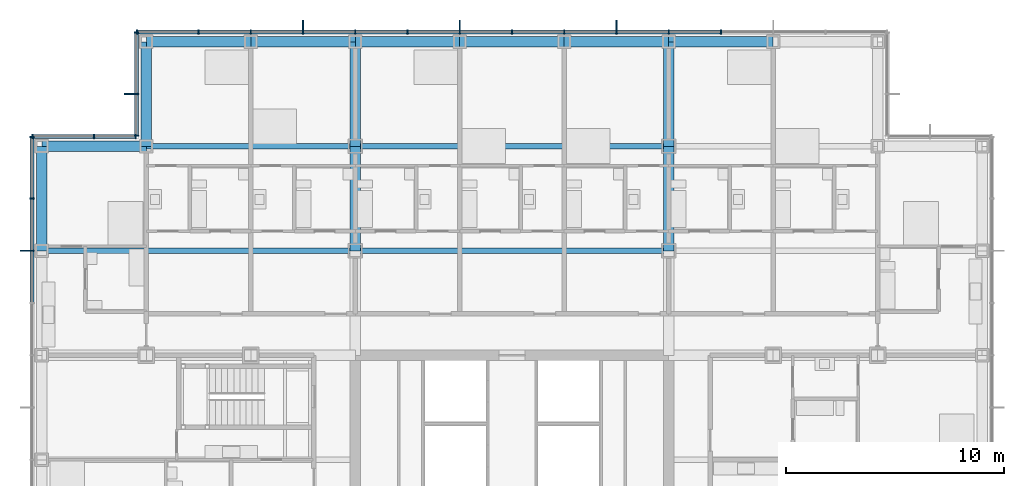
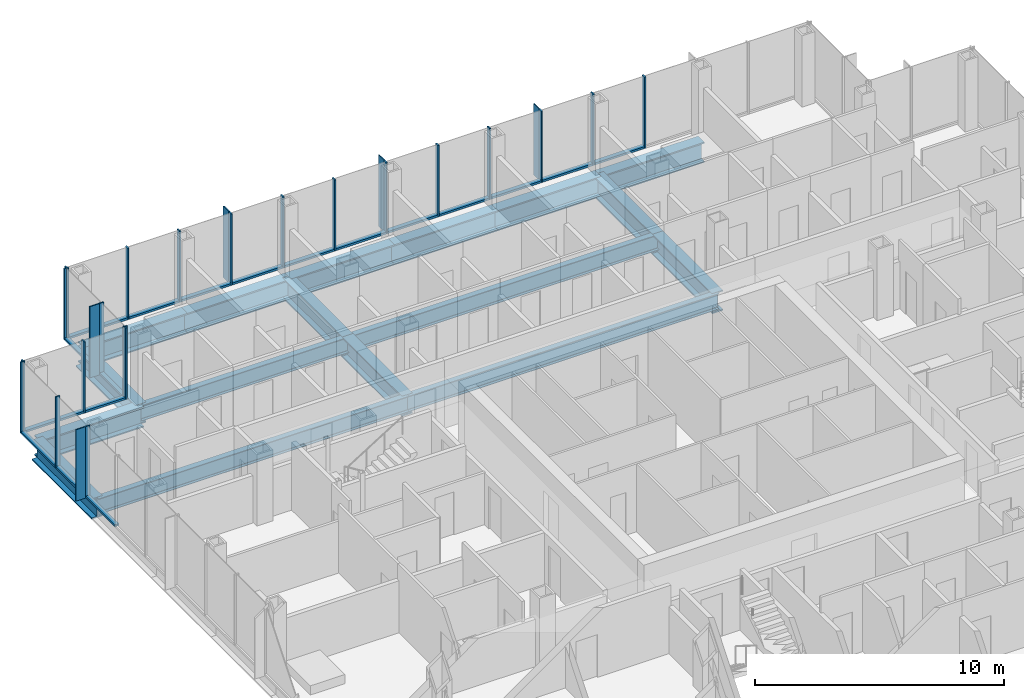
# One storey, part 10 of 22: 44 members, 17 beams, 4 elements without a shape of their own.
"""IFC4 building model written with IfcOpenShell, lengths in metres."""

from ifc_helpers import new_model, si_unit, direction, frame, origin, origin_2d, place, context, subcontext, project, spatial, rectangle, i_section, extrude, material, material_profile, profile_set, type_object, element, aggregate, save


model = new_model("IFC4")

# Units and contexts
model_context = context("Model", 3, precision=1e-05, world=origin(), true_north=direction((0.0, 1.0)))
body_context = subcontext(model_context, "Body", "Model", "MODEL_VIEW")
ifc_project = project(units=[si_unit("LENGTHUNIT", "METRE"), si_unit("AREAUNIT", "SQUARE_METRE"), si_unit("VOLUMEUNIT", "CUBIC_METRE"), si_unit("PLANEANGLEUNIT", "RADIAN"), si_unit("MASSUNIT", "GRAM", prefix="KILO")], contexts=[model_context])

# Site, building, storey
site_placement = place(None, origin())
site = spatial("IfcSite", under=ifc_project, at=site_placement, CompositionType="ELEMENT")
building_placement = place(site_placement, origin())
building = spatial("IfcBuilding", under=site, at=building_placement, Name="Kvirike Care Tower", CompositionType="ELEMENT")
storey_placement = place(building_placement, frame((0.0, 0.0, 72.5)))
storey = spatial("IfcBuildingStorey", under=building, at=storey_placement, Name="L19", CompositionType="ELEMENT", Elevation=72.5)

# Curtain wall, member
ifc_material_1 = material(Name="Anodised aluminium stick system", Category="aluminium")
curtain_wall_type = type_object("IfcCurtainWallType", Name="CW-A STICK CURTAIN WALL", PredefinedType="NOTDEFINED", material=ifc_material_1)
curtain_wall_1_placement = place(storey_placement, origin())
curtain_wall_1 = element("IfcCurtainWall", 1, at=curtain_wall_1_placement, inside=storey, type_object=curtain_wall_type, Name="Curtain wall L19 face 1", PredefinedType="NOTDEFINED")
ifc_material_2 = material(Name="Bronze anodised aluminium fin", Category="aluminium")
ifc_material_profile_1 = material_profile(ifc_material_2, rectangle(XDim=0.050048828125, YDim=0.449951171875, at=origin_2d()), Name="BRONZE FIN 450")
ifc_profile_set_1 = profile_set([ifc_material_profile_1], Name="Bronze anodised aluminium fin")
member_type_1 = type_object("IfcMemberType", Name="BRONZE FIN 450", PredefinedType="USERDEFINED", material=ifc_profile_set_1)
member_1_placement = place(storey_placement, frame((-0.77490234375, 48.0, 0.0), z_axis=(0.0, 0.0, 1.0), x_axis=(0.0, -1.0, 0.0)))
member_1 = element("IfcMember", 2, at=member_1_placement, type_object=member_type_1, Name="Bronze fin L19 face 1.3", ObjectType="FIN", PredefinedType="USERDEFINED", context=body_context, shape_type="SweptSolid", body=[
    extrude(rectangle(XDim=0.050048828125, YDim=0.449951171875, at=origin_2d()), origin(), (0.0, 0.0, 1.0), 3.5),
])

# Curtain wall, members
curtain_wall_2_placement = place(storey_placement, origin())
curtain_wall_2 = element("IfcCurtainWall", 3, at=curtain_wall_2_placement, inside=storey, type_object=curtain_wall_type, Name="Curtain wall L19 face 10", PredefinedType="NOTDEFINED")
member_2_placement = place(storey_placement, frame((26.39990234375, 58.375, 0.0), z_axis=(0.0, 0.0, 1.0), x_axis=(-1.0, 0.0, 0.0)))
member_2 = element("IfcMember", 4, at=member_2_placement, type_object=member_type_1, Name="Bronze fin L19 face 10.6", ObjectType="FIN", PredefinedType="USERDEFINED", context=body_context, shape_type="SweptSolid", body=[
    extrude(rectangle(XDim=0.050048828125, YDim=0.449951171875, at=origin_2d()), origin(), (0.0, 0.0, 1.0), 3.5),
])
member_3_placement = place(storey_placement, frame((19.199951171875, 58.375, 0.0), z_axis=(0.0, 0.0, 1.0), x_axis=(-1.0, 0.0, 0.0)))
member_3 = element("IfcMember", 5, at=member_3_placement, type_object=member_type_1, Name="Bronze fin L19 face 10.9", ObjectType="FIN", PredefinedType="USERDEFINED", context=body_context, shape_type="SweptSolid", body=[
    extrude(rectangle(XDim=0.050048828125, YDim=0.449951171875, at=origin_2d()), origin(), (0.0, 0.0, 1.0), 3.5),
])
member_4_placement = place(storey_placement, frame((12.0, 58.375, 0.0), z_axis=(0.0, 0.0, 1.0), x_axis=(-1.0, 0.0, 0.0)))
member_4 = element("IfcMember", 6, at=member_4_placement, type_object=member_type_1, Name="Bronze fin L19 face 10.12", ObjectType="FIN", PredefinedType="USERDEFINED", context=body_context, shape_type="SweptSolid", body=[
    extrude(rectangle(XDim=0.050048828125, YDim=0.449951171875, at=origin_2d()), origin(), (0.0, 0.0, 1.0), 3.5),
])

# Curtain wall, member
curtain_wall_3_placement = place(storey_placement, origin())
curtain_wall_3 = element("IfcCurtainWall", 7, at=curtain_wall_3_placement, inside=storey, type_object=curtain_wall_type, Name="Curtain wall L19 face 11", PredefinedType="NOTDEFINED")
member_5_placement = place(storey_placement, frame((4.02490234375, 55.199951171875, 0.0), z_axis=(0.0, 0.0, 1.0), x_axis=(0.0, -1.0, 0.0)))
member_5 = element("IfcMember", 8, at=member_5_placement, type_object=member_type_1, Name="Bronze fin L19 face 11.2", ObjectType="FIN", PredefinedType="USERDEFINED", context=body_context, shape_type="SweptSolid", body=[
    extrude(rectangle(XDim=0.050048828125, YDim=0.449951171875, at=origin_2d()), origin(), (0.0, 0.0, 1.0), 3.5),
])

# Member
ifc_material_3 = material(Name="Bronze anodised aluminium mullion", Category="aluminium")
ifc_material_profile_2 = material_profile(ifc_material_3, rectangle(XDim=0.06494140625, YDim=0.199951171875, at=origin_2d()), Name="CW-A MULLION 65x200")
ifc_profile_set_2 = profile_set([ifc_material_profile_2], Name="Bronze anodised aluminium mullion")
member_type_2 = type_object("IfcMemberType", Name="CW-A MULLION 65x200", PredefinedType="MULLION", material=ifc_profile_set_2)
member_6_placement = place(storey_placement, frame((-0.449951171875, 53.217529296875, 0.0), z_axis=(0.0, 0.0, 1.0), x_axis=(0.0, -1.0, 0.0)))
member_6 = element("IfcMember", 9, at=member_6_placement, type_object=member_type_2, Name="CW-A mullion L19 face 1.1", PredefinedType="MULLION", context=body_context, shape_type="SweptSolid", body=[
    extrude(rectangle(XDim=0.06494140625, YDim=0.199951171875, at=origin_2d()), origin(), (0.0, 0.0, 1.0), 3.5),
])

member_7_placement = place(storey_placement, frame((-0.449951171875, 50.39990234375, 0.0), z_axis=(0.0, 0.0, 1.0), x_axis=(0.0, -1.0, 0.0)))
member_7 = element("IfcMember", 10, at=member_7_placement, type_object=member_type_2, Name="CW-A mullion L19 face 1.2", PredefinedType="MULLION", context=body_context, shape_type="SweptSolid", body=[
    extrude(rectangle(XDim=0.06494140625, YDim=0.199951171875, at=origin_2d()), origin(), (0.0, 0.0, 1.0), 3.5),
])

member_8_placement = place(storey_placement, frame((-0.449951171875, 48.0, 0.0), z_axis=(0.0, 0.0, 1.0), x_axis=(0.0, -1.0, 0.0)))
member_8 = element("IfcMember", 11, at=member_8_placement, type_object=member_type_2, Name="CW-A mullion L19 face 1.3", PredefinedType="MULLION", context=body_context, shape_type="SweptSolid", body=[
    extrude(rectangle(XDim=0.06494140625, YDim=0.199951171875, at=origin_2d()), origin(), (0.0, 0.0, 1.0), 3.5),
])

member_9_placement = place(storey_placement, frame((31.199951171875, 58.050048828125, 0.0), z_axis=(0.0, 0.0, 1.0), x_axis=(-1.0, 0.0, 0.0)))
member_9 = element("IfcMember", 12, at=member_9_placement, type_object=member_type_2, Name="CW-A mullion L19 face 10.4", PredefinedType="MULLION", context=body_context, shape_type="SweptSolid", body=[
    extrude(rectangle(XDim=0.06494140625, YDim=0.199951171875, at=origin_2d()), origin(), (0.0, 0.0, 1.0), 3.5),
])

member_10_placement = place(storey_placement, frame((28.800048828125, 58.050048828125, 0.0), z_axis=(0.0, 0.0, 1.0), x_axis=(-1.0, 0.0, 0.0)))
member_10 = element("IfcMember", 13, at=member_10_placement, type_object=member_type_2, Name="CW-A mullion L19 face 10.5", PredefinedType="MULLION", context=body_context, shape_type="SweptSolid", body=[
    extrude(rectangle(XDim=0.06494140625, YDim=0.199951171875, at=origin_2d()), origin(), (0.0, 0.0, 1.0), 3.5),
])

member_11_placement = place(storey_placement, frame((26.39990234375, 58.050048828125, 0.0), z_axis=(0.0, 0.0, 1.0), x_axis=(-1.0, 0.0, 0.0)))
member_11 = element("IfcMember", 14, at=member_11_placement, type_object=member_type_2, Name="CW-A mullion L19 face 10.6", PredefinedType="MULLION", context=body_context, shape_type="SweptSolid", body=[
    extrude(rectangle(XDim=0.06494140625, YDim=0.199951171875, at=origin_2d()), origin(), (0.0, 0.0, 1.0), 3.5),
])

member_12_placement = place(storey_placement, frame((24.0, 58.050048828125, 0.0), z_axis=(0.0, 0.0, 1.0), x_axis=(-1.0, 0.0, 0.0)))
member_12 = element("IfcMember", 15, at=member_12_placement, type_object=member_type_2, Name="CW-A mullion L19 face 10.7", PredefinedType="MULLION", context=body_context, shape_type="SweptSolid", body=[
    extrude(rectangle(XDim=0.06494140625, YDim=0.199951171875, at=origin_2d()), origin(), (0.0, 0.0, 1.0), 3.5),
])

member_13_placement = place(storey_placement, frame((21.60009765625, 58.050048828125, 0.0), z_axis=(0.0, 0.0, 1.0), x_axis=(-1.0, 0.0, 0.0)))
member_13 = element("IfcMember", 16, at=member_13_placement, type_object=member_type_2, Name="CW-A mullion L19 face 10.8", PredefinedType="MULLION", context=body_context, shape_type="SweptSolid", body=[
    extrude(rectangle(XDim=0.06494140625, YDim=0.199951171875, at=origin_2d()), origin(), (0.0, 0.0, 1.0), 3.5),
])

member_14_placement = place(storey_placement, frame((19.199951171875, 58.050048828125, 0.0), z_axis=(0.0, 0.0, 1.0), x_axis=(-1.0, 0.0, 0.0)))
member_14 = element("IfcMember", 17, at=member_14_placement, type_object=member_type_2, Name="CW-A mullion L19 face 10.9", PredefinedType="MULLION", context=body_context, shape_type="SweptSolid", body=[
    extrude(rectangle(XDim=0.06494140625, YDim=0.199951171875, at=origin_2d()), origin(), (0.0, 0.0, 1.0), 3.5),
])

member_15_placement = place(storey_placement, frame((16.800048828125, 58.050048828125, 0.0), z_axis=(0.0, 0.0, 1.0), x_axis=(-1.0, 0.0, 0.0)))
member_15 = element("IfcMember", 18, at=member_15_placement, type_object=member_type_2, Name="CW-A mullion L19 face 10.10", PredefinedType="MULLION", context=body_context, shape_type="SweptSolid", body=[
    extrude(rectangle(XDim=0.06494140625, YDim=0.199951171875, at=origin_2d()), origin(), (0.0, 0.0, 1.0), 3.5),
])

member_16_placement = place(storey_placement, frame((14.39990234375, 58.050048828125, 0.0), z_axis=(0.0, 0.0, 1.0), x_axis=(-1.0, 0.0, 0.0)))
member_16 = element("IfcMember", 19, at=member_16_placement, type_object=member_type_2, Name="CW-A mullion L19 face 10.11", PredefinedType="MULLION", context=body_context, shape_type="SweptSolid", body=[
    extrude(rectangle(XDim=0.06494140625, YDim=0.199951171875, at=origin_2d()), origin(), (0.0, 0.0, 1.0), 3.5),
])

member_17_placement = place(storey_placement, frame((12.0, 58.050048828125, 0.0), z_axis=(0.0, 0.0, 1.0), x_axis=(-1.0, 0.0, 0.0)))
member_17 = element("IfcMember", 20, at=member_17_placement, type_object=member_type_2, Name="CW-A mullion L19 face 10.12", PredefinedType="MULLION", context=body_context, shape_type="SweptSolid", body=[
    extrude(rectangle(XDim=0.06494140625, YDim=0.199951171875, at=origin_2d()), origin(), (0.0, 0.0, 1.0), 3.5),
])

member_18_placement = place(storey_placement, frame((9.60009765625, 58.050048828125, 0.0), z_axis=(0.0, 0.0, 1.0), x_axis=(-1.0, 0.0, 0.0)))
member_18 = element("IfcMember", 21, at=member_18_placement, type_object=member_type_2, Name="CW-A mullion L19 face 10.13", PredefinedType="MULLION", context=body_context, shape_type="SweptSolid", body=[
    extrude(rectangle(XDim=0.06494140625, YDim=0.199951171875, at=origin_2d()), origin(), (0.0, 0.0, 1.0), 3.5),
])

member_19_placement = place(storey_placement, frame((7.199951171875, 58.050048828125, 0.0), z_axis=(0.0, 0.0, 1.0), x_axis=(-1.0, 0.0, 0.0)))
member_19 = element("IfcMember", 22, at=member_19_placement, type_object=member_type_2, Name="CW-A mullion L19 face 10.14", PredefinedType="MULLION", context=body_context, shape_type="SweptSolid", body=[
    extrude(rectangle(XDim=0.06494140625, YDim=0.199951171875, at=origin_2d()), origin(), (0.0, 0.0, 1.0), 3.5),
])

member_20_placement = place(storey_placement, frame((4.382568359375, 58.050048828125, 0.0), z_axis=(0.0, 0.0, 1.0), x_axis=(-1.0, 0.0, 0.0)))
member_20 = element("IfcMember", 23, at=member_20_placement, type_object=member_type_2, Name="CW-A mullion L19 face 10.15", PredefinedType="MULLION", context=body_context, shape_type="SweptSolid", body=[
    extrude(rectangle(XDim=0.06494140625, YDim=0.199951171875, at=origin_2d()), origin(), (0.0, 0.0, 1.0), 3.5),
])

member_21_placement = place(storey_placement, frame((4.35009765625, 58.017578125, 0.0), z_axis=(0.0, 0.0, 1.0), x_axis=(0.0, -1.0, 0.0)))
member_21 = element("IfcMember", 24, at=member_21_placement, type_object=member_type_2, Name="CW-A mullion L19 face 11.1", PredefinedType="MULLION", context=body_context, shape_type="SweptSolid", body=[
    extrude(rectangle(XDim=0.06494140625, YDim=0.199951171875, at=origin_2d()), origin(), (0.0, 0.0, 1.0), 3.5),
])

member_22_placement = place(storey_placement, frame((4.35009765625, 55.199951171875, 0.0), z_axis=(0.0, 0.0, 1.0), x_axis=(0.0, -1.0, 0.0)))
member_22 = element("IfcMember", 25, at=member_22_placement, type_object=member_type_2, Name="CW-A mullion L19 face 11.2", PredefinedType="MULLION", context=body_context, shape_type="SweptSolid", body=[
    extrude(rectangle(XDim=0.06494140625, YDim=0.199951171875, at=origin_2d()), origin(), (0.0, 0.0, 1.0), 3.5),
])

member_23_placement = place(storey_placement, frame((4.35009765625, 53.282470703125, 0.0), z_axis=(0.0, 0.0, 1.0), x_axis=(0.0, -1.0, 0.0)))
member_23 = element("IfcMember", 26, at=member_23_placement, type_object=member_type_2, Name="CW-A mullion L19 face 11.3", PredefinedType="MULLION", context=body_context, shape_type="SweptSolid", body=[
    extrude(rectangle(XDim=0.06494140625, YDim=0.199951171875, at=origin_2d()), origin(), (0.0, 0.0, 1.0), 3.5),
])

# Curtain wall, members
curtain_wall_4_placement = place(storey_placement, origin())
curtain_wall_4 = element("IfcCurtainWall", 27, at=curtain_wall_4_placement, inside=storey, type_object=curtain_wall_type, Name="Curtain wall L19 face 12", PredefinedType="NOTDEFINED")
member_24_placement = place(storey_placement, frame((4.3173828125, 53.25, 0.0), z_axis=(0.0, 0.0, 1.0), x_axis=(-1.0, 0.0, 0.0)))
member_24 = element("IfcMember", 28, at=member_24_placement, type_object=member_type_2, Name="CW-A mullion L19 face 12.1", PredefinedType="MULLION", context=body_context, shape_type="SweptSolid", body=[
    extrude(rectangle(XDim=0.06494140625, YDim=0.199951171875, at=origin_2d()), origin(), (0.0, 0.0, 1.0), 3.5),
])
member_25_placement = place(storey_placement, frame((2.39990234375, 53.25, 0.0), z_axis=(0.0, 0.0, 1.0), x_axis=(-1.0, 0.0, 0.0)))
member_25 = element("IfcMember", 29, at=member_25_placement, type_object=member_type_2, Name="CW-A mullion L19 face 12.2", PredefinedType="MULLION", context=body_context, shape_type="SweptSolid", body=[
    extrude(rectangle(XDim=0.06494140625, YDim=0.199951171875, at=origin_2d()), origin(), (0.0, 0.0, 1.0), 3.5),
])
member_26_placement = place(storey_placement, frame((-0.41748046875, 53.25, 0.0), z_axis=(0.0, 0.0, 1.0), x_axis=(-1.0, 0.0, 0.0)))
member_26 = element("IfcMember", 30, at=member_26_placement, type_object=member_type_2, Name="CW-A mullion L19 face 12.3", PredefinedType="MULLION", context=body_context, shape_type="SweptSolid", body=[
    extrude(rectangle(XDim=0.06494140625, YDim=0.199951171875, at=origin_2d()), origin(), (0.0, 0.0, 1.0), 3.5),
])

# Member
ifc_material_4 = material(Name="Bronze anodised aluminium transom", Category="aluminium")
ifc_material_profile_3 = material_profile(ifc_material_4, rectangle(XDim=0.199951171875, YDim=0.10009765625, at=origin_2d()), Name="CW-A TRANSOM 200x100")
ifc_profile_set_3 = profile_set([ifc_material_profile_3], Name="Bronze anodised aluminium transom")
member_type_3 = type_object("IfcMemberType", Name="CW-A TRANSOM 200x100", PredefinedType="USERDEFINED", material=ifc_profile_set_3)
member_27_placement = place(storey_placement, frame((-0.449951171875, 53.18505859375, 0.050048828125), z_axis=(0.0, -1.0, 0.0), x_axis=(1.0, 0.0, 0.0)))
member_27 = element("IfcMember", 31, at=member_27_placement, type_object=member_type_3, Name="CW-A sill transom L19 face 1.1", ObjectType="TRANSOM", PredefinedType="USERDEFINED", context=body_context, shape_type="SweptSolid", body=[
    extrude(rectangle(XDim=0.199951171875, YDim=0.10009765625, at=origin_2d()), origin(), (0.0, 0.0, 1.0), 2.75244140625),
])

member_28_placement = place(storey_placement, frame((-0.449951171875, 50.367431640625, 0.050048828125), z_axis=(0.0, -1.0, 0.0), x_axis=(1.0, 0.0, 0.0)))
member_28 = element("IfcMember", 32, at=member_28_placement, type_object=member_type_3, Name="CW-A sill transom L19 face 1.2", ObjectType="TRANSOM", PredefinedType="USERDEFINED", context=body_context, shape_type="SweptSolid", body=[
    extrude(rectangle(XDim=0.199951171875, YDim=0.10009765625, at=origin_2d()), origin(), (0.0, 0.0, 1.0), 2.3349609375),
])

member_29_placement = place(storey_placement, frame((-0.449951171875, 47.967529296875, 0.050048828125), z_axis=(0.0, -1.0, 0.0), x_axis=(1.0, 0.0, 0.0)))
member_29 = element("IfcMember", 33, at=member_29_placement, type_object=member_type_3, Name="CW-A sill transom L19 face 1.3", ObjectType="TRANSOM", PredefinedType="USERDEFINED", context=body_context, shape_type="SweptSolid", body=[
    extrude(rectangle(XDim=0.199951171875, YDim=0.10009765625, at=origin_2d()), origin(), (0.0, 0.0, 1.0), 2.3349609375),
])

aggregate(curtain_wall_1, [member_6, member_7, member_8, member_1, member_27, member_28, member_29])

member_30_placement = place(storey_placement, frame((31.16748046875, 58.050048828125, 0.050048828125), z_axis=(-1.0, 0.0, 0.0), x_axis=(0.0, -1.0, 0.0)))
member_30 = element("IfcMember", 34, at=member_30_placement, type_object=member_type_3, Name="CW-A sill transom L19 face 10.4", ObjectType="TRANSOM", PredefinedType="USERDEFINED", context=body_context, shape_type="SweptSolid", body=[
    extrude(rectangle(XDim=0.199951171875, YDim=0.10009765625, at=origin_2d()), origin(), (0.0, 0.0, 1.0), 2.3349609375),
])

member_31_placement = place(storey_placement, frame((28.767578125, 58.050048828125, 0.050048828125), z_axis=(-1.0, 0.0, 0.0), x_axis=(0.0, -1.0, 0.0)))
member_31 = element("IfcMember", 35, at=member_31_placement, type_object=member_type_3, Name="CW-A sill transom L19 face 10.5", ObjectType="TRANSOM", PredefinedType="USERDEFINED", context=body_context, shape_type="SweptSolid", body=[
    extrude(rectangle(XDim=0.199951171875, YDim=0.10009765625, at=origin_2d()), origin(), (0.0, 0.0, 1.0), 2.3349609375),
])

member_32_placement = place(storey_placement, frame((26.367431640625, 58.050048828125, 0.050048828125), z_axis=(-1.0, 0.0, 0.0), x_axis=(0.0, -1.0, 0.0)))
member_32 = element("IfcMember", 36, at=member_32_placement, type_object=member_type_3, Name="CW-A sill transom L19 face 10.6", ObjectType="TRANSOM", PredefinedType="USERDEFINED", context=body_context, shape_type="SweptSolid", body=[
    extrude(rectangle(XDim=0.199951171875, YDim=0.10009765625, at=origin_2d()), origin(), (0.0, 0.0, 1.0), 2.3349609375),
])

member_33_placement = place(storey_placement, frame((23.967529296875, 58.050048828125, 0.050048828125), z_axis=(-1.0, 0.0, 0.0), x_axis=(0.0, -1.0, 0.0)))
member_33 = element("IfcMember", 37, at=member_33_placement, type_object=member_type_3, Name="CW-A sill transom L19 face 10.7", ObjectType="TRANSOM", PredefinedType="USERDEFINED", context=body_context, shape_type="SweptSolid", body=[
    extrude(rectangle(XDim=0.199951171875, YDim=0.10009765625, at=origin_2d()), origin(), (0.0, 0.0, 1.0), 2.3349609375),
])

member_34_placement = place(storey_placement, frame((21.5673828125, 58.050048828125, 0.050048828125), z_axis=(-1.0, 0.0, 0.0), x_axis=(0.0, -1.0, 0.0)))
member_34 = element("IfcMember", 38, at=member_34_placement, type_object=member_type_3, Name="CW-A sill transom L19 face 10.8", ObjectType="TRANSOM", PredefinedType="USERDEFINED", context=body_context, shape_type="SweptSolid", body=[
    extrude(rectangle(XDim=0.199951171875, YDim=0.10009765625, at=origin_2d()), origin(), (0.0, 0.0, 1.0), 2.3349609375),
])

member_35_placement = place(storey_placement, frame((19.16748046875, 58.050048828125, 0.050048828125), z_axis=(-1.0, 0.0, 0.0), x_axis=(0.0, -1.0, 0.0)))
member_35 = element("IfcMember", 39, at=member_35_placement, type_object=member_type_3, Name="CW-A sill transom L19 face 10.9", ObjectType="TRANSOM", PredefinedType="USERDEFINED", context=body_context, shape_type="SweptSolid", body=[
    extrude(rectangle(XDim=0.199951171875, YDim=0.10009765625, at=origin_2d()), origin(), (0.0, 0.0, 1.0), 2.3349609375),
])

member_36_placement = place(storey_placement, frame((16.767578125, 58.050048828125, 0.050048828125), z_axis=(-1.0, 0.0, 0.0), x_axis=(0.0, -1.0, 0.0)))
member_36 = element("IfcMember", 40, at=member_36_placement, type_object=member_type_3, Name="CW-A sill transom L19 face 10.10", ObjectType="TRANSOM", PredefinedType="USERDEFINED", context=body_context, shape_type="SweptSolid", body=[
    extrude(rectangle(XDim=0.199951171875, YDim=0.10009765625, at=origin_2d()), origin(), (0.0, 0.0, 1.0), 2.3349609375),
])

member_37_placement = place(storey_placement, frame((14.367431640625, 58.050048828125, 0.050048828125), z_axis=(-1.0, 0.0, 0.0), x_axis=(0.0, -1.0, 0.0)))
member_37 = element("IfcMember", 41, at=member_37_placement, type_object=member_type_3, Name="CW-A sill transom L19 face 10.11", ObjectType="TRANSOM", PredefinedType="USERDEFINED", context=body_context, shape_type="SweptSolid", body=[
    extrude(rectangle(XDim=0.199951171875, YDim=0.10009765625, at=origin_2d()), origin(), (0.0, 0.0, 1.0), 2.3349609375),
])

member_38_placement = place(storey_placement, frame((11.967529296875, 58.050048828125, 0.050048828125), z_axis=(-1.0, 0.0, 0.0), x_axis=(0.0, -1.0, 0.0)))
member_38 = element("IfcMember", 42, at=member_38_placement, type_object=member_type_3, Name="CW-A sill transom L19 face 10.12", ObjectType="TRANSOM", PredefinedType="USERDEFINED", context=body_context, shape_type="SweptSolid", body=[
    extrude(rectangle(XDim=0.199951171875, YDim=0.10009765625, at=origin_2d()), origin(), (0.0, 0.0, 1.0), 2.3349609375),
])

member_39_placement = place(storey_placement, frame((9.5673828125, 58.050048828125, 0.050048828125), z_axis=(-1.0, 0.0, 0.0), x_axis=(0.0, -1.0, 0.0)))
member_39 = element("IfcMember", 43, at=member_39_placement, type_object=member_type_3, Name="CW-A sill transom L19 face 10.13", ObjectType="TRANSOM", PredefinedType="USERDEFINED", context=body_context, shape_type="SweptSolid", body=[
    extrude(rectangle(XDim=0.199951171875, YDim=0.10009765625, at=origin_2d()), origin(), (0.0, 0.0, 1.0), 2.3349609375),
])

member_40_placement = place(storey_placement, frame((7.16748046875, 58.050048828125, 0.050048828125), z_axis=(-1.0, 0.0, 0.0), x_axis=(0.0, -1.0, 0.0)))
member_40 = element("IfcMember", 44, at=member_40_placement, type_object=member_type_3, Name="CW-A sill transom L19 face 10.14", ObjectType="TRANSOM", PredefinedType="USERDEFINED", context=body_context, shape_type="SweptSolid", body=[
    extrude(rectangle(XDim=0.199951171875, YDim=0.10009765625, at=origin_2d()), origin(), (0.0, 0.0, 1.0), 2.75244140625),
])

aggregate(curtain_wall_2, [member_9, member_10, member_11, member_2, member_12, member_13, member_14, member_3, member_15, member_16, member_17, member_4, member_18, member_19, member_20, member_30, member_31, member_32, member_33, member_34, member_35, member_36, member_37, member_38, member_39, member_40])

member_41_placement = place(storey_placement, frame((4.35009765625, 57.985107421875, 0.050048828125), z_axis=(0.0, -1.0, 0.0), x_axis=(1.0, 0.0, 0.0)))
member_41 = element("IfcMember", 45, at=member_41_placement, type_object=member_type_3, Name="CW-A sill transom L19 face 11.1", ObjectType="TRANSOM", PredefinedType="USERDEFINED", context=body_context, shape_type="SweptSolid", body=[
    extrude(rectangle(XDim=0.199951171875, YDim=0.10009765625, at=origin_2d()), origin(), (0.0, 0.0, 1.0), 2.752685546875),
])

member_42_placement = place(storey_placement, frame((4.35009765625, 55.16748046875, 0.050048828125), z_axis=(0.0, -1.0, 0.0), x_axis=(1.0, 0.0, 0.0)))
member_42 = element("IfcMember", 46, at=member_42_placement, type_object=member_type_3, Name="CW-A sill transom L19 face 11.2", ObjectType="TRANSOM", PredefinedType="USERDEFINED", context=body_context, shape_type="SweptSolid", body=[
    extrude(rectangle(XDim=0.199951171875, YDim=0.10009765625, at=origin_2d()), origin(), (0.0, 0.0, 1.0), 1.8525390625),
])

aggregate(curtain_wall_3, [member_21, member_22, member_5, member_23, member_41, member_42])

member_43_placement = place(storey_placement, frame((4.284912109375, 53.25, 0.050048828125), z_axis=(-1.0, 0.0, 0.0), x_axis=(0.0, -1.0, 0.0)))
member_43 = element("IfcMember", 47, at=member_43_placement, type_object=member_type_3, Name="CW-A sill transom L19 face 12.1", ObjectType="TRANSOM", PredefinedType="USERDEFINED", context=body_context, shape_type="SweptSolid", body=[
    extrude(rectangle(XDim=0.199951171875, YDim=0.10009765625, at=origin_2d()), origin(), (0.0, 0.0, 1.0), 1.852294921875),
])

member_44_placement = place(storey_placement, frame((2.367431640625, 53.25, 0.050048828125), z_axis=(-1.0, 0.0, 0.0), x_axis=(0.0, -1.0, 0.0)))
member_44 = element("IfcMember", 48, at=member_44_placement, type_object=member_type_3, Name="CW-A sill transom L19 face 12.2", ObjectType="TRANSOM", PredefinedType="USERDEFINED", context=body_context, shape_type="SweptSolid", body=[
    extrude(rectangle(XDim=0.199951171875, YDim=0.10009765625, at=origin_2d()), origin(), (0.0, 0.0, 1.0), 2.75244140625),
])

aggregate(curtain_wall_4, [member_24, member_25, member_26, member_43, member_44])

# Beams
ifc_material_5 = material(Name="Steel S355", Category="steel")
ifc_material_profile_4 = material_profile(ifc_material_5, i_section(OverallWidth=0.26806640625, OverallDepth=0.77001953125, WebThickness=0.015625, FlangeThickness=0.025390625, FilletRadius=0.01708984375, at=origin_2d()), Name="IPE 750x196")
ifc_profile_set_4 = profile_set([ifc_material_profile_4], Name="Steel S355")
beam_type_1 = type_object("IfcBeamType", Name="FLOOR BEAM IPE 750x196", PredefinedType="BEAM", material=ifc_profile_set_4)
beam_1_placement = place(storey_placement, frame((0.0, 48.0, -0.554931640625), z_axis=(1.0, 0.0, 0.0), x_axis=(0.0, 1.0, 0.0)))
element("IfcBeam", 49, at=beam_1_placement, inside=storey, type_object=beam_type_1, Name="Floor Beam L3-L6 L19", PredefinedType="BEAM", context=body_context, shape_type="SweptSolid", body=[
    extrude(i_section(OverallWidth=0.26806640625, OverallDepth=0.77001953125, WebThickness=0.015625, FlangeThickness=0.025390625, FilletRadius=0.01708984375, at=origin_2d()), origin(), (0.0, 0.0, 1.0), 14.39990234375),
])
beam_2_placement = place(storey_placement, frame((14.39990234375, 48.0, -0.554931640625), z_axis=(1.0, 0.0, 0.0), x_axis=(0.0, 1.0, 0.0)))
element("IfcBeam", 50, at=beam_2_placement, inside=storey, type_object=beam_type_1, Name="Floor Beam L6-L9 L19", PredefinedType="BEAM", context=body_context, shape_type="SweptSolid", body=[
    extrude(i_section(OverallWidth=0.26806640625, OverallDepth=0.77001953125, WebThickness=0.015625, FlangeThickness=0.025390625, FilletRadius=0.01708984375, at=origin_2d()), origin(), (0.0, 0.0, 1.0), 14.400146484375),
])
beam_3_placement = place(storey_placement, frame((4.800048828125, 52.800048828125, -0.554931640625), z_axis=(1.0, 0.0, 0.0), x_axis=(0.0, 1.0, 0.0)))
element("IfcBeam", 51, at=beam_3_placement, inside=storey, type_object=beam_type_1, Name="Floor Beam M4-M6 L19", PredefinedType="BEAM", context=body_context, shape_type="SweptSolid", body=[
    extrude(i_section(OverallWidth=0.26806640625, OverallDepth=0.77001953125, WebThickness=0.015625, FlangeThickness=0.025390625, FilletRadius=0.01708984375, at=origin_2d()), origin(), (0.0, 0.0, 1.0), 9.599853515625),
])
beam_4_placement = place(storey_placement, frame((14.39990234375, 52.800048828125, -0.554931640625), z_axis=(1.0, 0.0, 0.0), x_axis=(0.0, 1.0, 0.0)))
element("IfcBeam", 52, at=beam_4_placement, inside=storey, type_object=beam_type_1, Name="Floor Beam M6-M9 L19", PredefinedType="BEAM", context=body_context, shape_type="SweptSolid", body=[
    extrude(i_section(OverallWidth=0.26806640625, OverallDepth=0.77001953125, WebThickness=0.015625, FlangeThickness=0.025390625, FilletRadius=0.01708984375, at=origin_2d()), origin(), (0.0, 0.0, 1.0), 14.400146484375),
])
ifc_material_6 = material(Name="Steel S355", Category="steel")
ifc_material_profile_5 = material_profile(ifc_material_6, i_section(OverallWidth=0.5, OverallDepth=1.0, WebThickness=0.030029296875, FlangeThickness=0.06005859375, at=origin_2d()), Name="PG 1000x500x30x60")
ifc_profile_set_5 = profile_set([ifc_material_profile_5], Name="Steel S355")
beam_type_2 = type_object("IfcBeamType", Name="FRAME BEAM PG 1000x500x30x60", PredefinedType="BEAM", material=ifc_profile_set_5)
for number, where, z_axis, x_axis, name in (
    (53, (14.39990234375, 48.0, -0.669921875), (0.0, 1.0, 0.0), (-1.0, 0.0, 0.0), "Frame Beam L6-M6 L19"),
    (54, (14.39990234375, 52.800048828125, -0.669921875), (0.0, 1.0, 0.0), (-1.0, 0.0, 0.0), "Frame Beam M6-N6 L19"),
    (55, (28.800048828125, 48.0, -0.669921875), (0.0, 1.0, 0.0), (-1.0, 0.0, 0.0), "Frame Beam L9-M9 L19"),
    (56, (28.800048828125, 52.800048828125, -0.669921875), (0.0, 1.0, 0.0), (-1.0, 0.0, 0.0), "Frame Beam M9-N9 L19"),
):
    element("IfcBeam", number, at=place(storey_placement, frame(where, z_axis=z_axis, x_axis=x_axis)), inside=storey, type_object=beam_type_2, Name=name, PredefinedType="BEAM", context=body_context, shape_type="SweptSolid", body=[
        extrude(i_section(OverallWidth=0.5, OverallDepth=1.0, WebThickness=0.030029296875, FlangeThickness=0.06005859375, at=origin_2d()), origin(), (0.0, 0.0, 1.0), 4.800048828125),
    ])
ifc_material_7 = material(Name="Steel S355", Category="steel")
ifc_material_profile_6 = material_profile(ifc_material_7, i_section(OverallWidth=0.5, OverallDepth=1.0, WebThickness=0.030029296875, FlangeThickness=0.06005859375, at=origin_2d()), Name="PG 1000x500x30x60")
ifc_profile_set_6 = profile_set([ifc_material_profile_6], Name="Steel S355")
beam_type_3 = type_object("IfcBeamType", Name="SPANDREL PG 1000x500x30x60", PredefinedType="SPANDREL", material=ifc_profile_set_6)
for number, where, z_axis, x_axis, name in (
    (57, (0.0, 52.800048828125, -0.669921875), (1.0, 0.0, 0.0), (0.0, 1.0, 0.0), "Spandrel M3-M4 L19"),
    (58, (4.800048828125, 57.60009765625, -0.669921875), (1.0, 0.0, 0.0), (0.0, 1.0, 0.0), "Spandrel N4-N5 L19"),
):
    element("IfcBeam", number, at=place(storey_placement, frame(where, z_axis=z_axis, x_axis=x_axis)), inside=storey, type_object=beam_type_3, Name=name, PredefinedType="SPANDREL", context=body_context, shape_type="SweptSolid", body=[
        extrude(i_section(OverallWidth=0.5, OverallDepth=1.0, WebThickness=0.030029296875, FlangeThickness=0.06005859375, at=origin_2d()), origin(), (0.0, 0.0, 1.0), 4.800048828125),
    ])
beam_5_placement = place(storey_placement, frame((9.60009765625, 57.60009765625, -0.669921875), z_axis=(1.0, 0.0, 0.0), x_axis=(0.0, 1.0, 0.0)))
element("IfcBeam", 59, at=beam_5_placement, inside=storey, type_object=beam_type_3, Name="Spandrel N5-N6 L19", PredefinedType="SPANDREL", context=body_context, shape_type="SweptSolid", body=[
    extrude(i_section(OverallWidth=0.5, OverallDepth=1.0, WebThickness=0.030029296875, FlangeThickness=0.06005859375, at=origin_2d()), origin(), (0.0, 0.0, 1.0), 4.7998046875),
])
for number, where, z_axis, x_axis, name in (
    (60, (14.39990234375, 57.60009765625, -0.669921875), (1.0, 0.0, 0.0), (0.0, 1.0, 0.0), "Spandrel N6-N7 L19"),
    (61, (19.199951171875, 57.60009765625, -0.669921875), (1.0, 0.0, 0.0), (0.0, 1.0, 0.0), "Spandrel N7-N8 L19"),
    (62, (24.0, 57.60009765625, -0.669921875), (1.0, 0.0, 0.0), (0.0, 1.0, 0.0), "Spandrel N8-N9 L19"),
    (63, (28.800048828125, 57.60009765625, -0.669921875), (1.0, 0.0, 0.0), (0.0, 1.0, 0.0), "Spandrel N9-N10 L19"),
    (64, (0.0, 48.0, -0.669921875), (0.0, 1.0, 0.0), (-1.0, 0.0, 0.0), "Spandrel L3-M3 L19"),
    (65, (4.800048828125, 52.800048828125, -0.669921875), (0.0, 1.0, 0.0), (-1.0, 0.0, 0.0), "Spandrel M4-N4 L19"),
):
    element("IfcBeam", number, at=place(storey_placement, frame(where, z_axis=z_axis, x_axis=x_axis)), inside=storey, type_object=beam_type_3, Name=name, PredefinedType="SPANDREL", context=body_context, shape_type="SweptSolid", body=[
        extrude(i_section(OverallWidth=0.5, OverallDepth=1.0, WebThickness=0.030029296875, FlangeThickness=0.06005859375, at=origin_2d()), origin(), (0.0, 0.0, 1.0), 4.800048828125),
    ])

save(model, "model.ifc")
